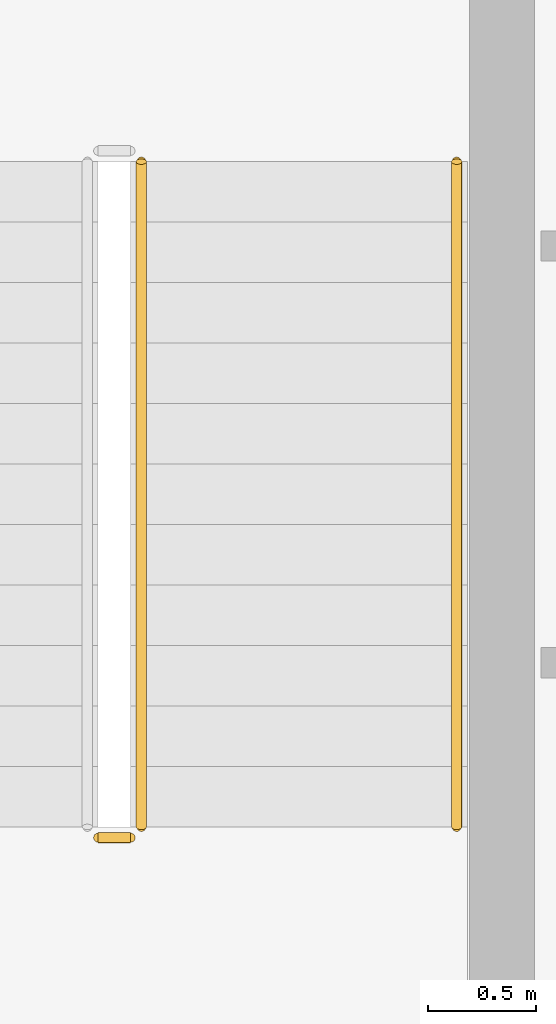
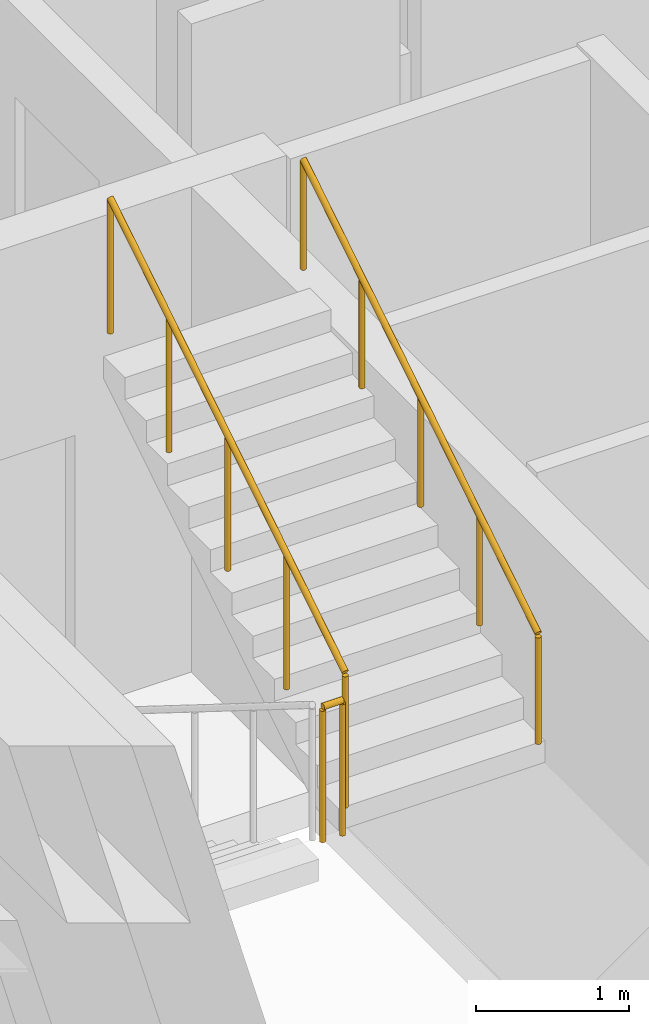
# One storey, part 16 of 22: 3 railings.
"""IFC4 building model written with IfcOpenShell, lengths in metres."""

from ifc_helpers import new_model, si_unit, direction, frame, origin, origin_2d, place, context, subcontext, project, spatial, circle, extrude, material, type_object, element, save


model = new_model("IFC4")

# Units and contexts
model_context = context("Model", 3, precision=1e-05, world=origin(), true_north=direction((0.0, 1.0)))
body_context = subcontext(model_context, "Body", "Model", "MODEL_VIEW")
ifc_project = project(units=[si_unit("LENGTHUNIT", "METRE"), si_unit("AREAUNIT", "SQUARE_METRE"), si_unit("VOLUMEUNIT", "CUBIC_METRE"), si_unit("PLANEANGLEUNIT", "RADIAN"), si_unit("MASSUNIT", "GRAM", prefix="KILO")], contexts=[model_context])

# Site, building, storey
site_placement = place(None, origin())
site = spatial("IfcSite", under=ifc_project, at=site_placement, CompositionType="ELEMENT")
building_placement = place(site_placement, origin())
building = spatial("IfcBuilding", under=site, at=building_placement, Name="Oramaril Tower", CompositionType="ELEMENT")
storey_placement = place(building_placement, frame((0.0, 0.0, 18.300048828125)))
storey = spatial("IfcBuildingStorey", under=building, at=storey_placement, Name="L04", CompositionType="ELEMENT", Elevation=18.300048828125)

# Railings
ifc_material_1 = material(Name="Stainless Steel 316L", Category="steel")
railing_type_1 = type_object("IfcRailingType", Name="RLT-GRD", PredefinedType="GUARDRAIL", material=ifc_material_1)
railing_1_placement = place(storey_placement, frame((31.510009765625, 14.4599609375, 2.099853515625)))
element("IfcRailing", 1, at=railing_1_placement, inside=storey, type_object=railing_type_1, Name="L04 ST-1 stair guard 2", PredefinedType="GUARDRAIL", context=body_context, shape_type="SweptSolid", body=[
    extrude(circle(Radius=0.02392578125, at=origin_2d()), frame((0.0, 0.0, 1.076171875), z_axis=(1.0, 0.0, 0.0), x_axis=(0.0, 1.0, 0.0)), (0.0, 0.0, 1.0), 0.14990234375),
    extrude(circle(Radius=0.02099609375, at=origin_2d()), origin(), (0.0, 0.0, 1.0), 1.052001953125),
    extrude(circle(Radius=0.02099609375, at=origin_2d()), frame((0.14990234375, 0.0, 0.0)), (0.0, 0.0, 1.0), 1.052001953125),
])
railing_2_placement = place(storey_placement, frame((31.7099609375, 14.510009765625, 2.27490234375)))
element("IfcRailing", 2, at=railing_2_placement, inside=storey, type_object=railing_type_1, Name="L04 ST-1 stair guard 3", PredefinedType="GUARDRAIL", context=body_context, shape_type="SweptSolid", body=[
    extrude(circle(Radius=0.02392578125, at=origin_2d()), frame((0.0, 0.0, 1.076171875), z_axis=(0.0, 0.847998304005, 0.529998940003), x_axis=(-1.0, 0.0, 0.0)), (0.0, 0.0, 1.0), 3.632080078125),
    extrude(circle(Radius=0.02099609375, at=origin_2d()), origin(), (0.0, 0.0, 1.0), 1.052001953125),
    extrude(circle(Radius=0.02099609375, at=origin_2d()), frame((0.0, 0.77001953125, 0.481201171875)), (0.0, 0.0, 1.0), 1.052001953125),
    extrude(circle(Radius=0.02099609375, at=origin_2d()), frame((0.0, 1.5400390625, 0.96240234375)), (0.0, 0.0, 1.0), 1.052001953125),
    extrude(circle(Radius=0.02099609375, at=origin_2d()), frame((0.0, 2.31005859375, 1.44384765625)), (0.0, 0.0, 1.0), 1.052001953125),
    extrude(circle(Radius=0.02099609375, at=origin_2d()), frame((0.0, 3.080078125, 1.925048828125)), (0.0, 0.0, 1.0), 1.052001953125),
])
ifc_material_2 = material(Name="Stainless Steel 316L", Category="steel")
railing_type_2 = type_object("IfcRailingType", Name="RLT-HND", PredefinedType="HANDRAIL", material=ifc_material_2)
railing_3_placement = place(storey_placement, frame((33.169921875, 14.510009765625, 2.27490234375)))
element("IfcRailing", 3, at=railing_3_placement, inside=storey, type_object=railing_type_2, Name="L04 ST-1 stair handrail 2", PredefinedType="HANDRAIL", context=body_context, shape_type="SweptSolid", body=[
    extrude(circle(Radius=0.02392578125, at=origin_2d()), frame((0.0, 0.0, 0.8759765625), z_axis=(0.0, 0.847998304005, 0.529998940003), x_axis=(-1.0, 0.0, 0.0)), (0.0, 0.0, 1.0), 3.632080078125),
    extrude(circle(Radius=0.02099609375, at=origin_2d()), origin(), (0.0, 0.0, 1.0), 0.851806640625),
    extrude(circle(Radius=0.02099609375, at=origin_2d()), frame((0.0, 0.77001953125, 0.481201171875)), (0.0, 0.0, 1.0), 0.851806640625),
    extrude(circle(Radius=0.02099609375, at=origin_2d()), frame((0.0, 1.5400390625, 0.96240234375)), (0.0, 0.0, 1.0), 0.851806640625),
    extrude(circle(Radius=0.02099609375, at=origin_2d()), frame((0.0, 2.31005859375, 1.44384765625)), (0.0, 0.0, 1.0), 0.851806640625),
    extrude(circle(Radius=0.02099609375, at=origin_2d()), frame((0.0, 3.080078125, 1.925048828125)), (0.0, 0.0, 1.0), 0.851806640625),
])

save(model, "model.ifc")
